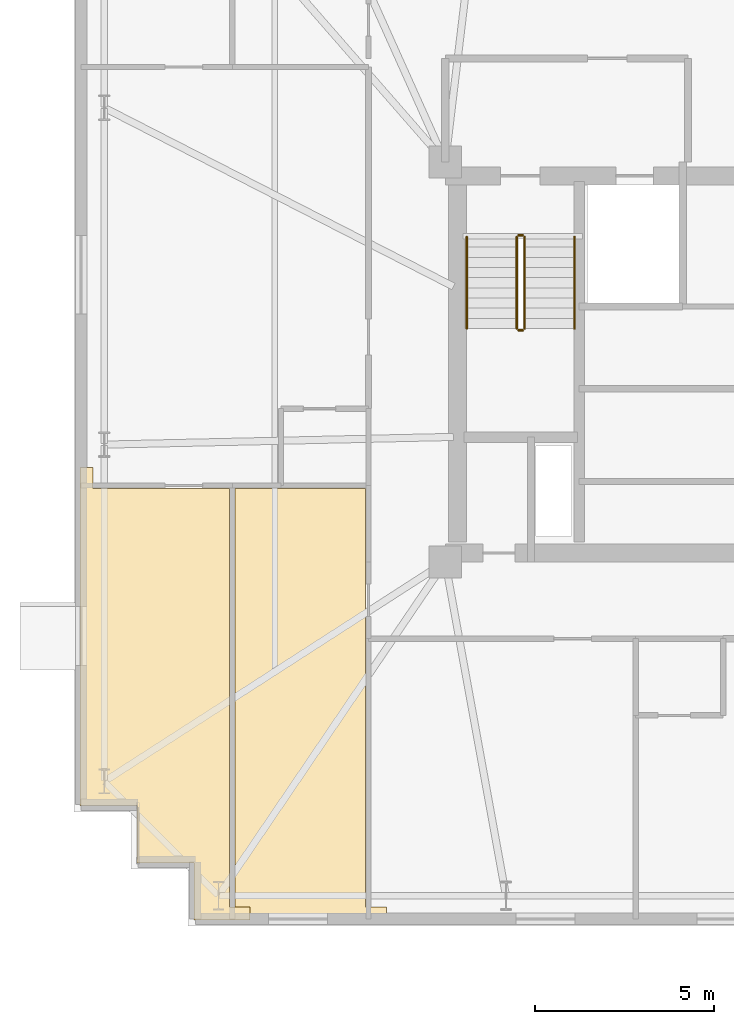
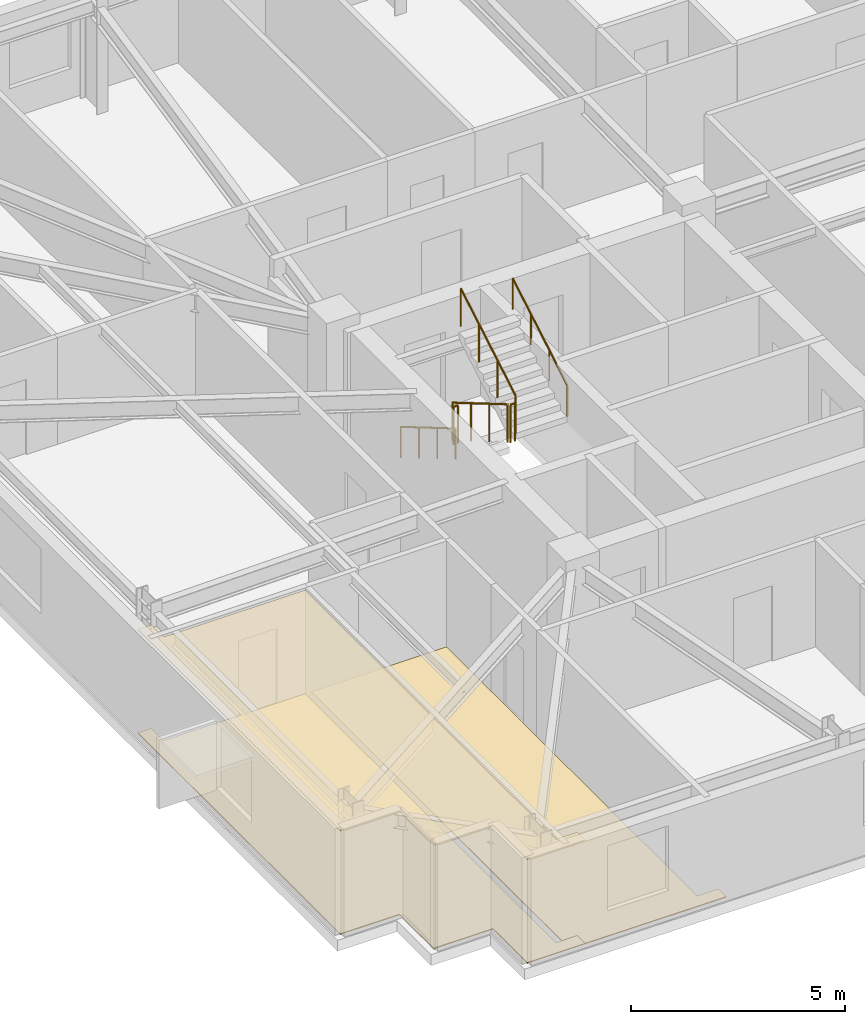
# One storey, part 16 of 17: 6 railings, 3 coverings.
"""IFC4 building model written with IfcOpenShell, lengths in metres."""

from ifc_helpers import new_model, si_unit, direction, frame, origin, origin_2d, place, context, subcontext, project, spatial, polyline, circle, outline, extrude, material, layer, layer_set, type_object, element, save


model = new_model("IFC4")

# Units and contexts
model_context = context("Model", 3, precision=1e-05, world=origin(), true_north=direction((0.0, 1.0)))
body_context = subcontext(model_context, "Body", "Model", "MODEL_VIEW")
ifc_project = project(units=[si_unit("LENGTHUNIT", "METRE"), si_unit("AREAUNIT", "SQUARE_METRE"), si_unit("VOLUMEUNIT", "CUBIC_METRE"), si_unit("PLANEANGLEUNIT", "RADIAN"), si_unit("MASSUNIT", "GRAM", prefix="KILO")], contexts=[model_context])

# Site, building, storey
site_placement = place(None, origin())
site = spatial("IfcSite", under=ifc_project, at=site_placement, CompositionType="ELEMENT")
building_placement = place(site_placement, origin())
building = spatial("IfcBuilding", under=site, at=building_placement, Name="Qobustan Lattice House", CompositionType="ELEMENT")
storey_placement = place(building_placement, frame((0.0, 0.0, 157.800048828125)))
storey = spatial("IfcBuildingStorey", under=building, at=storey_placement, Name="L44", CompositionType="ELEMENT", Elevation=157.800048828125)

# Coverings
ifc_material_1 = material(Name="Perforated gypsum acoustic ceiling", Category="gypsum")
ifc_layer_1 = layer(ifc_material_1, 0.030029296875)
ifc_layer_set_1 = layer_set([ifc_layer_1], Name="Perforated gypsum acoustic ceiling")
covering_type_1 = type_object("IfcCoveringType", Name="COV-ACOUSTIC-CEIL", PredefinedType="CEILING", material=ifc_layer_set_1)
covering_1_placement = place(storey_placement, frame((0.0, 0.0, 2.949951171875)))
element("IfcCovering", 1, at=covering_1_placement, inside=storey, type_object=covering_type_1, Name="L44 Focus study room W1A acoustic ceiling", PredefinedType="CEILING", context=body_context, shape_type="SweptSolid", body=[
    extrude(outline(polyline([(-25.830078125, -15.6298828125), (-24.264892578125, -15.6298828125), (-24.264892578125, -15.260009765625), (-24.844970703125, -15.260009765625), (-24.844970703125, -3.5400390625), (-28.659912109375, -3.5400390625), (-28.659912109375, -2.9599609375), (-29.030029296875, -2.9599609375), (-29.030029296875, -12.429931640625), (-27.429931640625, -12.429931640625), (-27.429931640625, -14.030029296875), (-25.830078125, -14.030029296875), (-25.830078125, -15.6298828125)])), origin(), (0.0, 0.0, 1.0), 0.030029296875),
])
ifc_material_2 = material(Name="Honed Absheron stone terrazzo flooring", Category="masonry")
ifc_layer_2 = layer(ifc_material_2, 0.02490234375)
ifc_layer_set_2 = layer_set([ifc_layer_2], Name="Honed Absheron stone terrazzo flooring")
covering_type_2 = type_object("IfcCoveringType", Name="COV-TERRAZZO-FLR", PredefinedType="FLOORING", material=ifc_layer_set_2)
covering_2_placement = place(storey_placement, origin())
element("IfcCovering", 2, at=covering_2_placement, inside=storey, type_object=covering_type_2, Name="L44 Focus study room W1A stone terrazzo flooring", PredefinedType="FLOORING", context=body_context, shape_type="SweptSolid", body=[
    extrude(outline(polyline([(-25.830078125, -15.6298828125), (-24.264892578125, -15.6298828125), (-24.264892578125, -15.260009765625), (-24.844970703125, -15.260009765625), (-24.844970703125, -3.5400390625), (-28.659912109375, -3.5400390625), (-28.659912109375, -2.9599609375), (-29.030029296875, -2.9599609375), (-29.030029296875, -12.429931640625), (-27.429931640625, -12.429931640625), (-27.429931640625, -14.030029296875), (-25.830078125, -14.030029296875), (-25.830078125, -15.6298828125)])), origin(), (0.0, 0.0, 1.0), 0.02490234375),
])
covering_3_placement = place(storey_placement, origin())
element("IfcCovering", 3, at=covering_3_placement, inside=storey, type_object=covering_type_2, Name="L44 Focus study room W1B stone terrazzo flooring", PredefinedType="FLOORING", context=body_context, shape_type="SweptSolid", body=[
    extrude(outline(polyline([(-25.264892578125, -15.6298828125), (-20.449951171875, -15.6298828125), (-20.449951171875, -15.260009765625), (-21.030029296875, -15.260009765625), (-21.030029296875, -3.5400390625), (-24.68505859375, -3.5400390625), (-24.68505859375, -15.260009765625), (-24.998046875, -15.260009765625), (-24.998046875, -15.35205078125), (-25.264892578125, -15.35205078125), (-25.264892578125, -15.6298828125)])), origin(), (0.0, 0.0, 1.0), 0.02490234375),
])

# Railings
ifc_material_3 = material(Name="Brushed stainless steel handrail", Category="steel")
railing_type_1 = type_object("IfcRailingType", Name="RAL-HR-920", PredefinedType="HANDRAIL", material=ifc_material_3)
railing_1_placement = place(storey_placement, frame((-18.199951171875, 3.5, 0.16748046875)))
element("IfcRailing", 4, at=railing_1_placement, inside=storey, type_object=railing_type_1, Name="L44 ST-W1 stair handrail 1", PredefinedType="HANDRAIL", context=body_context, shape_type="SweptSolid", body=[
    extrude(circle(Radius=0.02392578125, at=origin_2d()), frame((0.0, 0.0, 0.8759765625), z_axis=(0.0, -0.862113467892, 0.50671527358), x_axis=(1.0, 0.0, 0.0)), (0.0, 0.0, 1.0), 2.97509765625),
    extrude(circle(Radius=0.02099609375, at=origin_2d()), origin(), (0.0, 0.0, 1.0), 0.851806640625),
    extrude(circle(Radius=0.02099609375, at=origin_2d()), frame((0.0, -0.85498046875, 0.50244140625)), (0.0, 0.0, 1.0), 0.851806640625),
    extrude(circle(Radius=0.02099609375, at=origin_2d()), frame((0.0, -1.7099609375, 1.005126953125)), (0.0, 0.0, 1.0), 0.851806640625),
    extrude(circle(Radius=0.02099609375, at=origin_2d()), frame((0.0, -2.56494140625, 1.507568359375)), (0.0, 0.0, 1.0), 0.851806640625),
])
railing_2_placement = place(storey_placement, frame((-15.179931640625, 0.93505859375, 1.842529296875)))
element("IfcRailing", 5, at=railing_2_placement, inside=storey, type_object=railing_type_1, Name="L44 ST-W1 stair handrail 2", PredefinedType="HANDRAIL", context=body_context, shape_type="SweptSolid", body=[
    extrude(circle(Radius=0.02392578125, at=origin_2d()), frame((0.0, 0.0, 0.8759765625), z_axis=(0.0, 0.862149314443, 0.506654280161), x_axis=(-1.0, 0.0, 0.0)), (0.0, 0.0, 1.0), 2.97509765625),
    extrude(circle(Radius=0.02099609375, at=origin_2d()), origin(), (0.0, 0.0, 1.0), 0.851806640625),
    extrude(circle(Radius=0.02099609375, at=origin_2d()), frame((0.0, 0.85498046875, 0.50244140625)), (0.0, 0.0, 1.0), 0.851806640625),
    extrude(circle(Radius=0.02099609375, at=origin_2d()), frame((0.0, 1.7099609375, 1.0048828125)), (0.0, 0.0, 1.0), 0.851806640625),
    extrude(circle(Radius=0.02099609375, at=origin_2d()), frame((0.0, 2.56494140625, 1.50732421875)), (0.0, 0.0, 1.0), 0.851806640625),
])
ifc_material_4 = material(Name="Painted galvanized steel guardrail", Category="steel")
railing_type_2 = type_object("IfcRailingType", Name="RAL-STG-1150", PredefinedType="GUARDRAIL", material=ifc_material_4)
railing_3_placement = place(storey_placement, frame((-16.800048828125, 3.5, 0.16748046875)))
element("IfcRailing", 6, at=railing_3_placement, inside=storey, type_object=railing_type_2, Name="L44 ST-W1 stair guard 1", PredefinedType="GUARDRAIL", context=body_context, shape_type="SweptSolid", body=[
    extrude(circle(Radius=0.02392578125, at=origin_2d()), frame((0.0, 0.0, 1.076171875), z_axis=(0.0, -0.862113467892, 0.50671527358), x_axis=(1.0, 0.0, 0.0)), (0.0, 0.0, 1.0), 2.97509765625),
    extrude(circle(Radius=0.02099609375, at=origin_2d()), origin(), (0.0, 0.0, 1.0), 1.052001953125),
    extrude(circle(Radius=0.02099609375, at=origin_2d()), frame((0.0, -0.85498046875, 0.50244140625)), (0.0, 0.0, 1.0), 1.052001953125),
    extrude(circle(Radius=0.02099609375, at=origin_2d()), frame((0.0, -1.7099609375, 1.005126953125)), (0.0, 0.0, 1.0), 1.052001953125),
    extrude(circle(Radius=0.02099609375, at=origin_2d()), frame((0.0, -2.56494140625, 1.507568359375)), (0.0, 0.0, 1.0), 1.052001953125),
])
railing_4_placement = place(storey_placement, frame((-16.75, 0.885009765625, 1.675048828125)))
element("IfcRailing", 7, at=railing_4_placement, inside=storey, type_object=railing_type_2, Name="L44 ST-W1 stair guard 2", PredefinedType="GUARDRAIL", context=body_context, shape_type="SweptSolid", body=[
    extrude(circle(Radius=0.02392578125, at=origin_2d()), frame((0.0, 0.0, 1.076171875), z_axis=(1.0, 0.0, 0.0), x_axis=(0.0, 1.0, 0.0)), (0.0, 0.0, 1.0), 0.1201171875),
    extrude(circle(Radius=0.02099609375, at=origin_2d()), origin(), (0.0, 0.0, 1.0), 1.052001953125),
    extrude(circle(Radius=0.02099609375, at=origin_2d()), frame((0.1201171875, 0.0, 0.0)), (0.0, 0.0, 1.0), 1.052001953125),
])
railing_5_placement = place(storey_placement, frame((-16.580078125, 0.93505859375, 1.842529296875)))
element("IfcRailing", 8, at=railing_5_placement, inside=storey, type_object=railing_type_2, Name="L44 ST-W1 stair guard 3", PredefinedType="GUARDRAIL", context=body_context, shape_type="SweptSolid", body=[
    extrude(circle(Radius=0.02392578125, at=origin_2d()), frame((0.0, 0.0, 1.076171875), z_axis=(0.0, 0.862149314443, 0.506654280161), x_axis=(-1.0, 0.0, 0.0)), (0.0, 0.0, 1.0), 2.97509765625),
    extrude(circle(Radius=0.02099609375, at=origin_2d()), origin(), (0.0, 0.0, 1.0), 1.052001953125),
    extrude(circle(Radius=0.02099609375, at=origin_2d()), frame((0.0, 0.85498046875, 0.50244140625)), (0.0, 0.0, 1.0), 1.052001953125),
    extrude(circle(Radius=0.02099609375, at=origin_2d()), frame((0.0, 1.7099609375, 1.0048828125)), (0.0, 0.0, 1.0), 1.052001953125),
    extrude(circle(Radius=0.02099609375, at=origin_2d()), frame((0.0, 2.56494140625, 1.50732421875)), (0.0, 0.0, 1.0), 1.052001953125),
])
railing_6_placement = place(storey_placement, frame((-16.75, 3.550048828125, 0.0)))
element("IfcRailing", 9, at=railing_6_placement, inside=storey, type_object=railing_type_2, Name="L44 ST-W1 stair guard 4", PredefinedType="GUARDRAIL", context=body_context, shape_type="SweptSolid", body=[
    extrude(circle(Radius=0.02392578125, at=origin_2d()), frame((0.0, 0.0, 1.076171875), z_axis=(1.0, 0.0, 0.0), x_axis=(0.0, 1.0, 0.0)), (0.0, 0.0, 1.0), 0.1201171875),
    extrude(circle(Radius=0.02099609375, at=origin_2d()), origin(), (0.0, 0.0, 1.0), 1.052001953125),
    extrude(circle(Radius=0.02099609375, at=origin_2d()), frame((0.1201171875, 0.0, 0.0)), (0.0, 0.0, 1.0), 1.052001953125),
])

save(model, "model.ifc")
